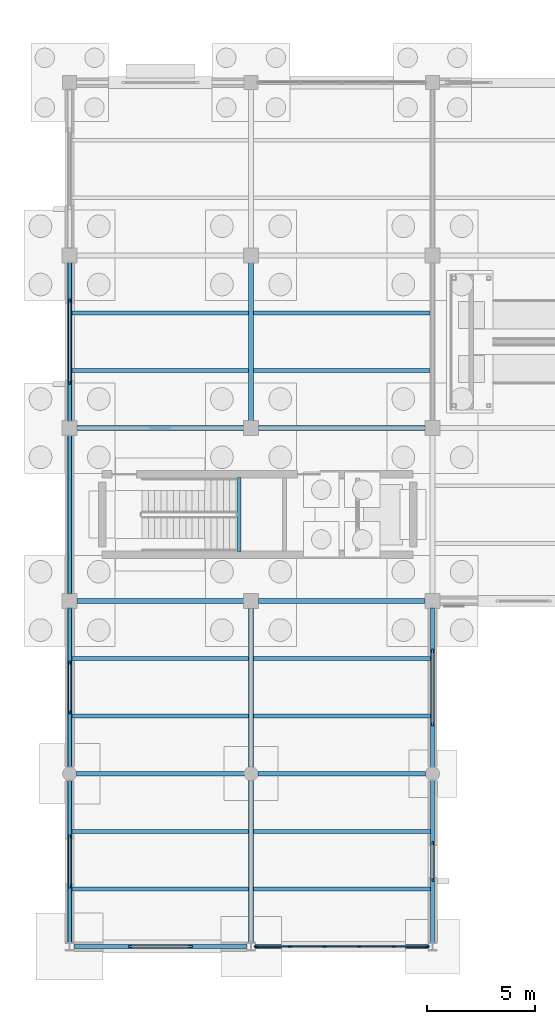
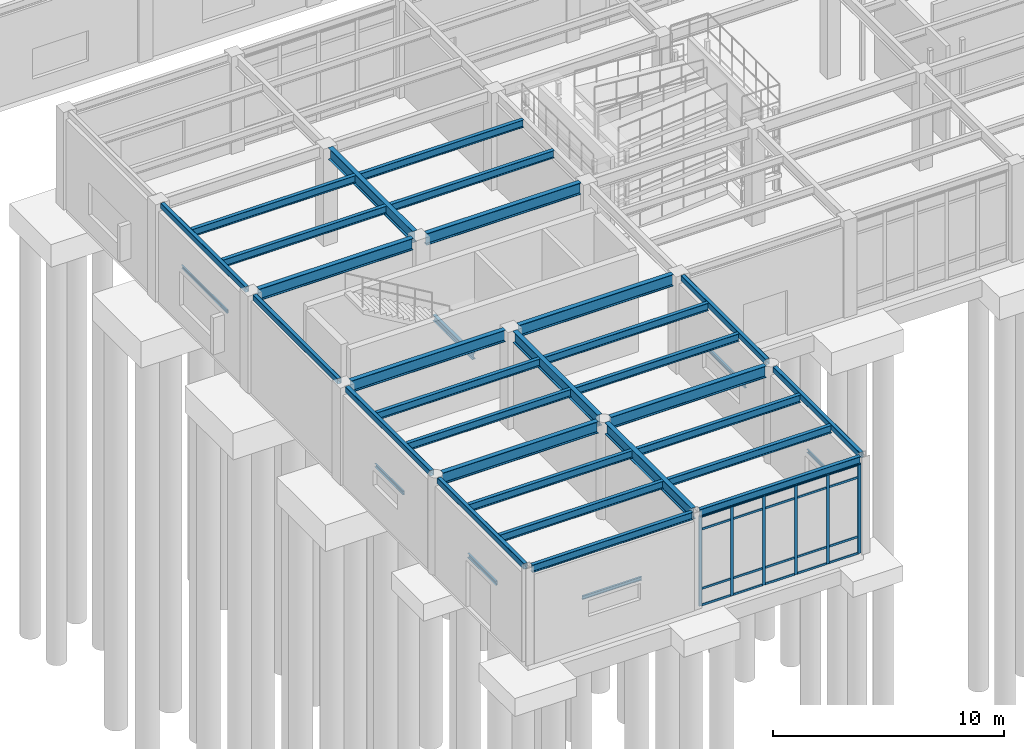
# One storey, part 22 of 138: 36 beams, 26 members, 1 element without a shape of its own.
"""IFC4 building model written with IfcOpenShell, lengths in metres."""

from ifc_helpers import new_model, si_unit, direction, frame, origin, origin_2d, place, context, subcontext, project, spatial, rectangle, hollow_rectangle, i_section, u_section, extrude, material, layer, layer_set, material_profile, profile_set, type_object, element, aggregate, save


model = new_model("IFC4")

# Units and contexts
model_context = context("Model", 3, precision=1e-05, world=origin(), true_north=direction((0.0, 1.0)))
body_context = subcontext(model_context, "Body", "Model", "MODEL_VIEW")
ifc_project = project(units=[si_unit("LENGTHUNIT", "METRE"), si_unit("AREAUNIT", "SQUARE_METRE"), si_unit("VOLUMEUNIT", "CUBIC_METRE"), si_unit("PLANEANGLEUNIT", "RADIAN"), si_unit("MASSUNIT", "GRAM", prefix="KILO")], contexts=[model_context])

# Site, building, storey
site_placement = place(None, origin())
site = spatial("IfcSite", under=ifc_project, at=site_placement, CompositionType="ELEMENT")
building_placement = place(site_placement, origin())
building = spatial("IfcBuilding", under=site, at=building_placement, Name="Kranzveld Transit Interchange", CompositionType="ELEMENT")
storey_placement = place(building_placement, origin())
storey = spatial("IfcBuildingStorey", under=building, at=storey_placement, Name="L00", CompositionType="ELEMENT", Elevation=0.0)

# Curtain wall, members
ifc_material_1 = material(Name="Bronze-anodised thermally broken aluminium", Category="aluminium")
ifc_layer = layer(ifc_material_1, 0.14990234375)
ifc_layer_set = layer_set([ifc_layer], Name="Bronze-anodised thermally broken aluminium")
curtain_wall_type = type_object("IfcCurtainWallType", Name="Public Passage Clerestory Screen CW-4", PredefinedType="USERDEFINED", material=ifc_layer_set)
curtain_wall_placement = place(storey_placement, origin())
curtain_wall = element("IfcCurtainWall", 1, at=curtain_wall_placement, inside=storey, type_object=curtain_wall_type, Name="L00 Curtain Wall 02/A-03/A", ObjectType="CURTAIN WALL", PredefinedType="USERDEFINED")
ifc_material_2 = material(Name="Bronze-anodised thermally broken aluminium", Category="aluminium")
ifc_material_profile_1 = material_profile(ifc_material_2, rectangle(XDim=0.06005859375, YDim=0.14990234375, at=origin_2d()), Name="ALU MULLION 60x150")
ifc_profile_set_1 = profile_set([ifc_material_profile_1], Name="Bronze-anodised thermally broken aluminium")
member_type_1 = type_object("IfcMemberType", Name="Curtain Wall Mullion 60x150 Alu", PredefinedType="MULLION", material=ifc_profile_set_1)
member_1_placement = place(storey_placement, frame((8.62939453125, 0.0, 0.0), z_axis=(0.0, 0.0, 1.0), x_axis=(0.0, 1.0, 0.0)))
member_1 = element("IfcMember", 2, at=member_1_placement, type_object=member_type_1, Name="CW-4 mullion 1", PredefinedType="MULLION", context=body_context, shape_type="SweptSolid", body=[
    extrude(rectangle(XDim=0.06005859375, YDim=0.14990234375, at=origin_2d()), origin(), (0.0, 0.0, 1.0), 4.740478515625),
])
member_2_placement = place(storey_placement, frame((10.19970703125, 0.0, 0.0), z_axis=(0.0, 0.0, 1.0), x_axis=(0.0, 1.0, 0.0)))
member_2 = element("IfcMember", 3, at=member_2_placement, type_object=member_type_1, Name="CW-4 mullion 2", PredefinedType="MULLION", context=body_context, shape_type="SweptSolid", body=[
    extrude(rectangle(XDim=0.06005859375, YDim=0.14990234375, at=origin_2d()), origin(), (0.0, 0.0, 1.0), 4.740478515625),
])
member_3_placement = place(storey_placement, frame((11.7998046875, 0.0, 0.0), z_axis=(0.0, 0.0, 1.0), x_axis=(0.0, 1.0, 0.0)))
member_3 = element("IfcMember", 4, at=member_3_placement, type_object=member_type_1, Name="CW-4 mullion 3", PredefinedType="MULLION", context=body_context, shape_type="SweptSolid", body=[
    extrude(rectangle(XDim=0.06005859375, YDim=0.14990234375, at=origin_2d()), origin(), (0.0, 0.0, 1.0), 4.740478515625),
])
member_4_placement = place(storey_placement, frame((13.400146484375, 0.0, 0.0), z_axis=(0.0, 0.0, 1.0), x_axis=(0.0, 1.0, 0.0)))
member_4 = element("IfcMember", 5, at=member_4_placement, type_object=member_type_1, Name="CW-4 mullion 4", PredefinedType="MULLION", context=body_context, shape_type="SweptSolid", body=[
    extrude(rectangle(XDim=0.06005859375, YDim=0.14990234375, at=origin_2d()), origin(), (0.0, 0.0, 1.0), 4.740478515625),
])
member_5_placement = place(storey_placement, frame((15.000244140625, 0.0, 0.0), z_axis=(0.0, 0.0, 1.0), x_axis=(0.0, 1.0, 0.0)))
member_5 = element("IfcMember", 6, at=member_5_placement, type_object=member_type_1, Name="CW-4 mullion 5", PredefinedType="MULLION", context=body_context, shape_type="SweptSolid", body=[
    extrude(rectangle(XDim=0.06005859375, YDim=0.14990234375, at=origin_2d()), origin(), (0.0, 0.0, 1.0), 4.740478515625),
])
member_6_placement = place(storey_placement, frame((16.570556640625, 0.0, 0.0), z_axis=(0.0, 0.0, 1.0), x_axis=(0.0, 1.0, 0.0)))
member_6 = element("IfcMember", 7, at=member_6_placement, type_object=member_type_1, Name="CW-4 mullion 6", PredefinedType="MULLION", context=body_context, shape_type="SweptSolid", body=[
    extrude(rectangle(XDim=0.06005859375, YDim=0.14990234375, at=origin_2d()), origin(), (0.0, 0.0, 1.0), 4.740478515625),
])
ifc_material_3 = material(Name="Bronze-anodised thermally broken aluminium", Category="aluminium")
ifc_material_profile_2 = material_profile(ifc_material_3, rectangle(XDim=0.06005859375, YDim=0.110107421875, at=origin_2d()), Name="ALU TRANSOM 60x110")
ifc_profile_set_2 = profile_set([ifc_material_profile_2], Name="Bronze-anodised thermally broken aluminium")
member_type_2 = type_object("IfcMemberType", Name="Curtain Wall Transom 60x110 Alu", PredefinedType="USERDEFINED", material=ifc_profile_set_2)
member_7_placement = place(storey_placement, frame((8.659423828125, 0.0, 0.030029296875), z_axis=(1.0, 0.0, 0.0), x_axis=(0.0, 1.0, 0.0)))
member_7 = element("IfcMember", 8, at=member_7_placement, type_object=member_type_2, Name="CW-4 transom 1.1", ObjectType="TRANSOM", PredefinedType="USERDEFINED", context=body_context, shape_type="SweptSolid", body=[
    extrude(rectangle(XDim=0.06005859375, YDim=0.110107421875, at=origin_2d()), origin(), (0.0, 0.0, 1.0), 1.51025390625),
])
member_8_placement = place(storey_placement, frame((8.659423828125, 0.0, 0.89990234375), z_axis=(1.0, 0.0, 0.0), x_axis=(0.0, 1.0, 0.0)))
member_8 = element("IfcMember", 9, at=member_8_placement, type_object=member_type_2, Name="CW-4 transom 1.2", ObjectType="TRANSOM", PredefinedType="USERDEFINED", context=body_context, shape_type="SweptSolid", body=[
    extrude(rectangle(XDim=0.06005859375, YDim=0.110107421875, at=origin_2d()), origin(), (0.0, 0.0, 1.0), 1.51025390625),
])
member_9_placement = place(storey_placement, frame((8.659423828125, 0.0, 4.04052734375), z_axis=(1.0, 0.0, 0.0), x_axis=(0.0, 1.0, 0.0)))
member_9 = element("IfcMember", 10, at=member_9_placement, type_object=member_type_2, Name="CW-4 transom 1.3", ObjectType="TRANSOM", PredefinedType="USERDEFINED", context=body_context, shape_type="SweptSolid", body=[
    extrude(rectangle(XDim=0.06005859375, YDim=0.110107421875, at=origin_2d()), origin(), (0.0, 0.0, 1.0), 1.51025390625),
])
member_10_placement = place(storey_placement, frame((8.659423828125, 0.0, 4.710693359375), z_axis=(1.0, 0.0, 0.0), x_axis=(0.0, 1.0, 0.0)))
member_10 = element("IfcMember", 11, at=member_10_placement, type_object=member_type_2, Name="CW-4 transom 1.4", ObjectType="TRANSOM", PredefinedType="USERDEFINED", context=body_context, shape_type="SweptSolid", body=[
    extrude(rectangle(XDim=0.06005859375, YDim=0.110107421875, at=origin_2d()), origin(), (0.0, 0.0, 1.0), 1.51025390625),
])
member_11_placement = place(storey_placement, frame((10.229736328125, 0.0, 0.030029296875), z_axis=(1.0, 0.0, 0.0), x_axis=(0.0, 1.0, 0.0)))
member_11 = element("IfcMember", 12, at=member_11_placement, type_object=member_type_2, Name="CW-4 transom 2.1", ObjectType="TRANSOM", PredefinedType="USERDEFINED", context=body_context, shape_type="SweptSolid", body=[
    extrude(rectangle(XDim=0.06005859375, YDim=0.110107421875, at=origin_2d()), origin(), (0.0, 0.0, 1.0), 1.540283203125),
])
member_12_placement = place(storey_placement, frame((10.229736328125, 0.0, 0.89990234375), z_axis=(1.0, 0.0, 0.0), x_axis=(0.0, 1.0, 0.0)))
member_12 = element("IfcMember", 13, at=member_12_placement, type_object=member_type_2, Name="CW-4 transom 2.2", ObjectType="TRANSOM", PredefinedType="USERDEFINED", context=body_context, shape_type="SweptSolid", body=[
    extrude(rectangle(XDim=0.06005859375, YDim=0.110107421875, at=origin_2d()), origin(), (0.0, 0.0, 1.0), 1.540283203125),
])
member_13_placement = place(storey_placement, frame((10.229736328125, 0.0, 4.04052734375), z_axis=(1.0, 0.0, 0.0), x_axis=(0.0, 1.0, 0.0)))
member_13 = element("IfcMember", 14, at=member_13_placement, type_object=member_type_2, Name="CW-4 transom 2.3", ObjectType="TRANSOM", PredefinedType="USERDEFINED", context=body_context, shape_type="SweptSolid", body=[
    extrude(rectangle(XDim=0.06005859375, YDim=0.110107421875, at=origin_2d()), origin(), (0.0, 0.0, 1.0), 1.540283203125),
])
member_14_placement = place(storey_placement, frame((10.229736328125, 0.0, 4.710693359375), z_axis=(1.0, 0.0, 0.0), x_axis=(0.0, 1.0, 0.0)))
member_14 = element("IfcMember", 15, at=member_14_placement, type_object=member_type_2, Name="CW-4 transom 2.4", ObjectType="TRANSOM", PredefinedType="USERDEFINED", context=body_context, shape_type="SweptSolid", body=[
    extrude(rectangle(XDim=0.06005859375, YDim=0.110107421875, at=origin_2d()), origin(), (0.0, 0.0, 1.0), 1.540283203125),
])
member_15_placement = place(storey_placement, frame((11.829833984375, 0.0, 0.030029296875), z_axis=(1.0, 0.0, 0.0), x_axis=(0.0, 1.0, 0.0)))
member_15 = element("IfcMember", 16, at=member_15_placement, type_object=member_type_2, Name="CW-4 transom 3.1", ObjectType="TRANSOM", PredefinedType="USERDEFINED", context=body_context, shape_type="SweptSolid", body=[
    extrude(rectangle(XDim=0.06005859375, YDim=0.110107421875, at=origin_2d()), origin(), (0.0, 0.0, 1.0), 1.540283203125),
])
member_16_placement = place(storey_placement, frame((11.829833984375, 0.0, 0.89990234375), z_axis=(1.0, 0.0, 0.0), x_axis=(0.0, 1.0, 0.0)))
member_16 = element("IfcMember", 17, at=member_16_placement, type_object=member_type_2, Name="CW-4 transom 3.2", ObjectType="TRANSOM", PredefinedType="USERDEFINED", context=body_context, shape_type="SweptSolid", body=[
    extrude(rectangle(XDim=0.06005859375, YDim=0.110107421875, at=origin_2d()), origin(), (0.0, 0.0, 1.0), 1.540283203125),
])
member_17_placement = place(storey_placement, frame((11.829833984375, 0.0, 4.04052734375), z_axis=(1.0, 0.0, 0.0), x_axis=(0.0, 1.0, 0.0)))
member_17 = element("IfcMember", 18, at=member_17_placement, type_object=member_type_2, Name="CW-4 transom 3.3", ObjectType="TRANSOM", PredefinedType="USERDEFINED", context=body_context, shape_type="SweptSolid", body=[
    extrude(rectangle(XDim=0.06005859375, YDim=0.110107421875, at=origin_2d()), origin(), (0.0, 0.0, 1.0), 1.540283203125),
])
member_18_placement = place(storey_placement, frame((11.829833984375, 0.0, 4.710693359375), z_axis=(1.0, 0.0, 0.0), x_axis=(0.0, 1.0, 0.0)))
member_18 = element("IfcMember", 19, at=member_18_placement, type_object=member_type_2, Name="CW-4 transom 3.4", ObjectType="TRANSOM", PredefinedType="USERDEFINED", context=body_context, shape_type="SweptSolid", body=[
    extrude(rectangle(XDim=0.06005859375, YDim=0.110107421875, at=origin_2d()), origin(), (0.0, 0.0, 1.0), 1.540283203125),
])
member_19_placement = place(storey_placement, frame((13.43017578125, 0.0, 0.030029296875), z_axis=(1.0, 0.0, 0.0), x_axis=(0.0, 1.0, 0.0)))
member_19 = element("IfcMember", 20, at=member_19_placement, type_object=member_type_2, Name="CW-4 transom 4.1", ObjectType="TRANSOM", PredefinedType="USERDEFINED", context=body_context, shape_type="SweptSolid", body=[
    extrude(rectangle(XDim=0.06005859375, YDim=0.110107421875, at=origin_2d()), origin(), (0.0, 0.0, 1.0), 1.5400390625),
])
member_20_placement = place(storey_placement, frame((13.43017578125, 0.0, 0.89990234375), z_axis=(1.0, 0.0, 0.0), x_axis=(0.0, 1.0, 0.0)))
member_20 = element("IfcMember", 21, at=member_20_placement, type_object=member_type_2, Name="CW-4 transom 4.2", ObjectType="TRANSOM", PredefinedType="USERDEFINED", context=body_context, shape_type="SweptSolid", body=[
    extrude(rectangle(XDim=0.06005859375, YDim=0.110107421875, at=origin_2d()), origin(), (0.0, 0.0, 1.0), 1.5400390625),
])
member_21_placement = place(storey_placement, frame((13.43017578125, 0.0, 4.04052734375), z_axis=(1.0, 0.0, 0.0), x_axis=(0.0, 1.0, 0.0)))
member_21 = element("IfcMember", 22, at=member_21_placement, type_object=member_type_2, Name="CW-4 transom 4.3", ObjectType="TRANSOM", PredefinedType="USERDEFINED", context=body_context, shape_type="SweptSolid", body=[
    extrude(rectangle(XDim=0.06005859375, YDim=0.110107421875, at=origin_2d()), origin(), (0.0, 0.0, 1.0), 1.5400390625),
])
member_22_placement = place(storey_placement, frame((13.43017578125, 0.0, 4.710693359375), z_axis=(1.0, 0.0, 0.0), x_axis=(0.0, 1.0, 0.0)))
member_22 = element("IfcMember", 23, at=member_22_placement, type_object=member_type_2, Name="CW-4 transom 4.4", ObjectType="TRANSOM", PredefinedType="USERDEFINED", context=body_context, shape_type="SweptSolid", body=[
    extrude(rectangle(XDim=0.06005859375, YDim=0.110107421875, at=origin_2d()), origin(), (0.0, 0.0, 1.0), 1.5400390625),
])
member_23_placement = place(storey_placement, frame((15.0302734375, 0.0, 0.030029296875), z_axis=(1.0, 0.0, 0.0), x_axis=(0.0, 1.0, 0.0)))
member_23 = element("IfcMember", 24, at=member_23_placement, type_object=member_type_2, Name="CW-4 transom 5.1", ObjectType="TRANSOM", PredefinedType="USERDEFINED", context=body_context, shape_type="SweptSolid", body=[
    extrude(rectangle(XDim=0.06005859375, YDim=0.110107421875, at=origin_2d()), origin(), (0.0, 0.0, 1.0), 1.51025390625),
])
member_24_placement = place(storey_placement, frame((15.0302734375, 0.0, 0.89990234375), z_axis=(1.0, 0.0, 0.0), x_axis=(0.0, 1.0, 0.0)))
member_24 = element("IfcMember", 25, at=member_24_placement, type_object=member_type_2, Name="CW-4 transom 5.2", ObjectType="TRANSOM", PredefinedType="USERDEFINED", context=body_context, shape_type="SweptSolid", body=[
    extrude(rectangle(XDim=0.06005859375, YDim=0.110107421875, at=origin_2d()), origin(), (0.0, 0.0, 1.0), 1.51025390625),
])
member_25_placement = place(storey_placement, frame((15.0302734375, 0.0, 4.04052734375), z_axis=(1.0, 0.0, 0.0), x_axis=(0.0, 1.0, 0.0)))
member_25 = element("IfcMember", 26, at=member_25_placement, type_object=member_type_2, Name="CW-4 transom 5.3", ObjectType="TRANSOM", PredefinedType="USERDEFINED", context=body_context, shape_type="SweptSolid", body=[
    extrude(rectangle(XDim=0.06005859375, YDim=0.110107421875, at=origin_2d()), origin(), (0.0, 0.0, 1.0), 1.51025390625),
])
member_26_placement = place(storey_placement, frame((15.0302734375, 0.0, 4.710693359375), z_axis=(1.0, 0.0, 0.0), x_axis=(0.0, 1.0, 0.0)))
member_26 = element("IfcMember", 27, at=member_26_placement, type_object=member_type_2, Name="CW-4 transom 5.4", ObjectType="TRANSOM", PredefinedType="USERDEFINED", context=body_context, shape_type="SweptSolid", body=[
    extrude(rectangle(XDim=0.06005859375, YDim=0.110107421875, at=origin_2d()), origin(), (0.0, 0.0, 1.0), 1.51025390625),
])
aggregate(curtain_wall, [member_1, member_2, member_3, member_4, member_5, member_6, member_7, member_8, member_9, member_10, member_11, member_12, member_13, member_14, member_15, member_16, member_17, member_18, member_19, member_20, member_21, member_22, member_23, member_24, member_25, member_26])

# Beams
ifc_material_4 = material(Name="Steel S355JR", Category="steel")
ifc_material_profile_3 = material_profile(ifc_material_4, hollow_rectangle(XDim=0.199951171875, YDim=0.300048828125, WallThickness=0.010009765625, InnerFilletRadius=0.014892578125, OuterFilletRadius=0.02490234375, at=origin_2d()), Name="RHS 300x200x10")
ifc_profile_set_3 = profile_set([ifc_material_profile_3], Name="Steel S355JR")
beam_type_1 = type_object("IfcBeamType", Name="Edge Spandrel RHS 300x200x10 S355JR", PredefinedType="SPANDREL", material=ifc_profile_set_3)
beam_1_placement = place(storey_placement, frame((0.0, 0.186767578125, 5.0), z_axis=(0.0, 1.0, 0.0), x_axis=(-1.0, 0.0, 0.0)))
element("IfcBeam", 28, at=beam_1_placement, inside=storey, type_object=beam_type_1, Name="L00 Girder 01/A-B", PredefinedType="SPANDREL", context=body_context, shape_type="SweptSolid", body=[
    extrude(hollow_rectangle(XDim=0.199951171875, YDim=0.300048828125, WallThickness=0.010009765625, InnerFilletRadius=0.014892578125, OuterFilletRadius=0.02490234375, at=origin_2d()), origin(), (0.0, 0.0, 1.0), 7.498291015625),
])
beam_2_placement = place(storey_placement, frame((0.0, 8.31494140625, 5.0), z_axis=(0.0, 1.0, 0.0), x_axis=(-1.0, 0.0, 0.0)))
element("IfcBeam", 29, at=beam_2_placement, inside=storey, type_object=beam_type_1, Name="L00 Girder 01/B-C", PredefinedType="SPANDREL", context=body_context, shape_type="SweptSolid", body=[
    extrude(hollow_rectangle(XDim=0.199951171875, YDim=0.300048828125, WallThickness=0.010009765625, InnerFilletRadius=0.014892578125, OuterFilletRadius=0.02490234375, at=origin_2d()), origin(), (0.0, 0.0, 1.0), 7.344970703125),
])
for number, where, z_axis, x_axis, name in (
    (30, (0.0, 16.340087890625, 5.0), (0.0, 1.0, 0.0), (-1.0, 0.0, 0.0), "L00 Girder 01/C-D"),
    (31, (0.0, 24.340087890625, 5.0), (0.0, 1.0, 0.0), (-1.0, 0.0, 0.0), "L00 Girder 01/D-E"),
):
    element("IfcBeam", number, at=place(storey_placement, frame(where, z_axis=z_axis, x_axis=x_axis)), inside=storey, type_object=beam_type_1, Name=name, PredefinedType="SPANDREL", context=body_context, shape_type="SweptSolid", body=[
        extrude(hollow_rectangle(XDim=0.199951171875, YDim=0.300048828125, WallThickness=0.010009765625, InnerFilletRadius=0.014892578125, OuterFilletRadius=0.02490234375, at=origin_2d()), origin(), (0.0, 0.0, 1.0), 7.31982421875),
    ])
beam_3_placement = place(storey_placement, frame((16.800048828125, 0.186767578125, 5.0), z_axis=(0.0, 1.0, 0.0), x_axis=(-1.0, 0.0, 0.0)))
element("IfcBeam", 32, at=beam_3_placement, inside=storey, type_object=beam_type_1, Name="L00 Girder 03/A-B", PredefinedType="SPANDREL", context=body_context, shape_type="SweptSolid", body=[
    extrude(hollow_rectangle(XDim=0.199951171875, YDim=0.300048828125, WallThickness=0.010009765625, InnerFilletRadius=0.014892578125, OuterFilletRadius=0.02490234375, at=origin_2d()), origin(), (0.0, 0.0, 1.0), 7.498291015625),
])
beam_4_placement = place(storey_placement, frame((16.800048828125, 8.31494140625, 5.0), z_axis=(0.0, 1.0, 0.0), x_axis=(-1.0, 0.0, 0.0)))
element("IfcBeam", 33, at=beam_4_placement, inside=storey, type_object=beam_type_1, Name="L00 Girder 03/B-C", PredefinedType="SPANDREL", context=body_context, shape_type="SweptSolid", body=[
    extrude(hollow_rectangle(XDim=0.199951171875, YDim=0.300048828125, WallThickness=0.010009765625, InnerFilletRadius=0.014892578125, OuterFilletRadius=0.02490234375, at=origin_2d()), origin(), (0.0, 0.0, 1.0), 7.344970703125),
])
ifc_material_5 = material(Name="Steel S355JR", Category="steel")
ifc_material_profile_4 = material_profile(ifc_material_5, i_section(OverallWidth=0.1787109375, OverallDepth=0.409423828125, WebThickness=0.0087890625, FlangeThickness=0.014404296875, FilletRadius=0.01025390625, at=origin_2d()), Name="UB 406x178x67")
ifc_profile_set_4 = profile_set([ifc_material_profile_4], Name="Steel S355JR")
beam_type_2 = type_object("IfcBeamType", Name="Facade Spandrel UB 406x178x67 S355JR", PredefinedType="SPANDREL", material=ifc_profile_set_4)
for number, where, z_axis, x_axis, name in (
    (34, (0.189453125, 0.0, 4.9453125), (1.0, 0.0, 0.0), (0.0, 1.0, 0.0), "L00 Girder 01-02/A"),
    (35, (8.589599609375, 0.0, 4.9453125), (1.0, 0.0, 0.0), (0.0, 1.0, 0.0), "L00 Girder 02-03/A"),
):
    element("IfcBeam", number, at=place(storey_placement, frame(where, z_axis=z_axis, x_axis=x_axis)), inside=storey, type_object=beam_type_2, Name=name, PredefinedType="SPANDREL", context=body_context, shape_type="SweptSolid", body=[
        extrude(i_section(OverallWidth=0.1787109375, OverallDepth=0.409423828125, WebThickness=0.0087890625, FlangeThickness=0.014404296875, FilletRadius=0.01025390625, at=origin_2d()), origin(), (0.0, 0.0, 1.0), 8.02099609375),
    ])
ifc_material_6 = material(Name="Steel S355JR", Category="steel")
ifc_material_profile_5 = material_profile(ifc_material_6, i_section(OverallWidth=0.177734375, OverallDepth=0.402587890625, WebThickness=0.0078125, FlangeThickness=0.010986328125, FilletRadius=0.01025390625, at=origin_2d()), Name="UB 406x178x54")
ifc_profile_set_5 = profile_set([ifc_material_profile_5], Name="Steel S355JR")
beam_type_3 = type_object("IfcBeamType", Name="Floor Joist UB 406x178x54 S355JR", PredefinedType="JOIST", material=ifc_profile_set_5)
for number, where, z_axis, x_axis, name in (
    (36, (0.10205078125, 2.666748046875, 4.94873046875), (1.0, 0.0, 0.0), (0.0, 1.0, 0.0), "L00 Secondary Joist 01-02/A.1"),
    (37, (0.10205078125, 5.333251953125, 4.94873046875), (1.0, 0.0, 0.0), (0.0, 1.0, 0.0), "L00 Secondary Joist 01-02/A.2"),
    (38, (0.10205078125, 10.666748046875, 4.94873046875), (1.0, 0.0, 0.0), (0.0, 1.0, 0.0), "L00 Secondary Joist 01-02/B.1"),
    (39, (0.10205078125, 13.333251953125, 4.94873046875), (1.0, 0.0, 0.0), (0.0, 1.0, 0.0), "L00 Secondary Joist 01-02/B.2"),
    (40, (0.10205078125, 26.666748046875, 4.94873046875), (1.0, 0.0, 0.0), (0.0, 1.0, 0.0), "L00 Secondary Joist 01-02/D.1"),
    (41, (0.10205078125, 29.333251953125, 4.94873046875), (1.0, 0.0, 0.0), (0.0, 1.0, 0.0), "L00 Secondary Joist 01-02/D.2"),
    (42, (8.51611328125, 2.666748046875, 4.94873046875), (1.0, 0.0, 0.0), (0.0, 1.0, 0.0), "L00 Secondary Joist 02-03/A.1"),
    (43, (8.51611328125, 5.333251953125, 4.94873046875), (1.0, 0.0, 0.0), (0.0, 1.0, 0.0), "L00 Secondary Joist 02-03/A.2"),
    (44, (8.51611328125, 10.666748046875, 4.94873046875), (1.0, 0.0, 0.0), (0.0, 1.0, 0.0), "L00 Secondary Joist 02-03/B.1"),
    (45, (8.51611328125, 13.333251953125, 4.94873046875), (1.0, 0.0, 0.0), (0.0, 1.0, 0.0), "L00 Secondary Joist 02-03/B.2"),
):
    element("IfcBeam", number, at=place(storey_placement, frame(where, z_axis=z_axis, x_axis=x_axis)), inside=storey, type_object=beam_type_3, Name=name, PredefinedType="JOIST", context=body_context, shape_type="SweptSolid", body=[
        extrude(i_section(OverallWidth=0.177734375, OverallDepth=0.402587890625, WebThickness=0.0078125, FlangeThickness=0.010986328125, FilletRadius=0.01025390625, at=origin_2d()), origin(), (0.0, 0.0, 1.0), 8.181884765625),
    ])
for number, where, z_axis, x_axis, name in (
    (46, (8.51611328125, 26.666748046875, 4.94873046875), (1.0, 0.0, 0.0), (0.0, 1.0, 0.0), "L00 Secondary Joist 02-03/D.1"),
    (47, (8.51611328125, 29.333251953125, 4.94873046875), (1.0, 0.0, 0.0), (0.0, 1.0, 0.0), "L00 Secondary Joist 02-03/D.2"),
):
    element("IfcBeam", number, at=place(storey_placement, frame(where, z_axis=z_axis, x_axis=x_axis)), inside=storey, type_object=beam_type_3, Name=name, PredefinedType="JOIST", context=body_context, shape_type="SweptSolid", body=[
        extrude(i_section(OverallWidth=0.177734375, OverallDepth=0.402587890625, WebThickness=0.0078125, FlangeThickness=0.010986328125, FilletRadius=0.01025390625, at=origin_2d()), origin(), (0.0, 0.0, 1.0), 8.167724609375),
    ])
ifc_material_7 = material(Name="Steel S355JR", Category="steel")
ifc_material_profile_6 = material_profile(ifc_material_7, i_section(OverallWidth=0.228271484375, OverallDepth=0.607666015625, WebThickness=0.010986328125, FlangeThickness=0.017333984375, FilletRadius=0.0126953125, at=origin_2d()), Name="UB 610x229x113")
ifc_profile_set_6 = profile_set([ifc_material_profile_6], Name="Steel S355JR")
beam_type_4 = type_object("IfcBeamType", Name="Girder Steel UB 610x229x113 S355JR", PredefinedType="BEAM", material=ifc_profile_set_6)
beam_5_placement = place(storey_placement, frame((8.39990234375, 0.186767578125, 4.84619140625), z_axis=(0.0, 1.0, 0.0), x_axis=(-1.0, 0.0, 0.0)))
element("IfcBeam", 48, at=beam_5_placement, inside=storey, type_object=beam_type_4, Name="L00 Girder 02/A-B", PredefinedType="BEAM", context=body_context, shape_type="SweptSolid", body=[
    extrude(i_section(OverallWidth=0.228271484375, OverallDepth=0.607666015625, WebThickness=0.010986328125, FlangeThickness=0.017333984375, FilletRadius=0.0126953125, at=origin_2d()), origin(), (0.0, 0.0, 1.0), 7.498291015625),
])
beam_6_placement = place(storey_placement, frame((8.39990234375, 8.31494140625, 4.84619140625), z_axis=(0.0, 1.0, 0.0), x_axis=(-1.0, 0.0, 0.0)))
element("IfcBeam", 49, at=beam_6_placement, inside=storey, type_object=beam_type_4, Name="L00 Girder 02/B-C", PredefinedType="BEAM", context=body_context, shape_type="SweptSolid", body=[
    extrude(i_section(OverallWidth=0.228271484375, OverallDepth=0.607666015625, WebThickness=0.010986328125, FlangeThickness=0.017333984375, FilletRadius=0.0126953125, at=origin_2d()), origin(), (0.0, 0.0, 1.0), 7.344970703125),
])
beam_7_placement = place(storey_placement, frame((8.39990234375, 24.340087890625, 4.84619140625), z_axis=(0.0, 1.0, 0.0), x_axis=(-1.0, 0.0, 0.0)))
element("IfcBeam", 50, at=beam_7_placement, inside=storey, type_object=beam_type_4, Name="L00 Girder 02/D-E", PredefinedType="BEAM", context=body_context, shape_type="SweptSolid", body=[
    extrude(i_section(OverallWidth=0.228271484375, OverallDepth=0.607666015625, WebThickness=0.010986328125, FlangeThickness=0.017333984375, FilletRadius=0.0126953125, at=origin_2d()), origin(), (0.0, 0.0, 1.0), 7.31982421875),
])
ifc_material_8 = material(Name="Steel S355JR", Category="steel")
ifc_material_profile_7 = material_profile(ifc_material_8, i_section(OverallWidth=0.230224609375, OverallDepth=0.6171875, WebThickness=0.01318359375, FlangeThickness=0.022216796875, FilletRadius=0.0126953125, at=origin_2d()), Name="UB 610x229x140")
ifc_profile_set_7 = profile_set([ifc_material_profile_7], Name="Steel S355JR")
beam_type_5 = type_object("IfcBeamType", Name="Girder Steel UB 610x229x140 S355JR", PredefinedType="BEAM", material=ifc_profile_set_7)
for number, where, z_axis, x_axis, name in (
    (51, (0.31494140625, 8.0, 4.84130859375), (1.0, 0.0, 0.0), (0.0, 1.0, 0.0), "L00 Girder 01-02/B"),
    (52, (8.715087890625, 8.0, 4.84130859375), (1.0, 0.0, 0.0), (0.0, 1.0, 0.0), "L00 Girder 02-03/B"),
):
    element("IfcBeam", number, at=place(storey_placement, frame(where, z_axis=z_axis, x_axis=x_axis)), inside=storey, type_object=beam_type_5, Name=name, PredefinedType="BEAM", context=body_context, shape_type="SweptSolid", body=[
        extrude(i_section(OverallWidth=0.230224609375, OverallDepth=0.6171875, WebThickness=0.01318359375, FlangeThickness=0.022216796875, FilletRadius=0.0126953125, at=origin_2d()), origin(), (0.0, 0.0, 1.0), 7.77001953125),
    ])
for number, where, z_axis, x_axis, name in (
    (53, (0.340087890625, 16.0, 4.84130859375), (1.0, 0.0, 0.0), (0.0, 1.0, 0.0), "L00 Girder 01-02/C"),
    (54, (8.739990234375, 16.0, 4.84130859375), (1.0, 0.0, 0.0), (0.0, 1.0, 0.0), "L00 Girder 02-03/C"),
    (55, (0.340087890625, 24.0, 4.84130859375), (1.0, 0.0, 0.0), (0.0, 1.0, 0.0), "L00 Girder 01-02/D"),
    (56, (8.739990234375, 24.0, 4.84130859375), (1.0, 0.0, 0.0), (0.0, 1.0, 0.0), "L00 Girder 02-03/D"),
):
    element("IfcBeam", number, at=place(storey_placement, frame(where, z_axis=z_axis, x_axis=x_axis)), inside=storey, type_object=beam_type_5, Name=name, PredefinedType="BEAM", context=body_context, shape_type="SweptSolid", body=[
        extrude(i_section(OverallWidth=0.230224609375, OverallDepth=0.6171875, WebThickness=0.01318359375, FlangeThickness=0.022216796875, FilletRadius=0.0126953125, at=origin_2d()), origin(), (0.0, 0.0, 1.0), 7.719970703125),
    ])
ifc_material_9 = material(Name="Steel S355JR", Category="steel")
ifc_material_profile_8 = material_profile(ifc_material_9, u_section(Depth=0.179931640625, FlangeWidth=0.070068359375, WebThickness=0.007080078125, FlangeThickness=0.010986328125, FilletRadius=0.010009765625, at=origin_2d()), Name="PFC 180x70x22")
ifc_profile_set_8 = profile_set([ifc_material_profile_8], Name="Steel S355JR")
beam_type_6 = type_object("IfcBeamType", Name="Masonry Lintel PFC 180x70x22 S355JR", PredefinedType="LINTEL", material=ifc_profile_set_8)
beam_8_placement = place(storey_placement, frame((0.0, 26.02001953125, 2.794921875), z_axis=(0.0, 1.0, 0.0), x_axis=(-1.0, 0.0, 0.0)))
element("IfcBeam", 57, at=beam_8_placement, inside=storey, type_object=beam_type_6, Name="L00 Window Lintel 001", PredefinedType="LINTEL", context=body_context, shape_type="SweptSolid", body=[
    extrude(u_section(Depth=0.179931640625, FlangeWidth=0.070068359375, WebThickness=0.007080078125, FlangeThickness=0.010986328125, FilletRadius=0.010009765625, at=origin_2d()), origin(), (0.0, 0.0, 1.0), 3.9599609375),
])
beam_9_placement = place(storey_placement, frame((16.800048828125, 3.005859375, 2.39501953125), z_axis=(0.0, 1.0, 0.0), x_axis=(-1.0, 0.0, 0.0)))
element("IfcBeam", 58, at=beam_9_placement, inside=storey, type_object=beam_type_6, Name="L00 Window Lintel 053", PredefinedType="LINTEL", context=body_context, shape_type="SweptSolid", body=[
    extrude(u_section(Depth=0.179931640625, FlangeWidth=0.070068359375, WebThickness=0.007080078125, FlangeThickness=0.010986328125, FilletRadius=0.010009765625, at=origin_2d()), origin(), (0.0, 0.0, 1.0), 1.860107421875),
])
ifc_material_10 = material(Name="Steel S355JR", Category="steel")
ifc_material_profile_9 = material_profile(ifc_material_10, u_section(Depth=0.199951171875, FlangeWidth=0.074951171875, WebThickness=0.006103515625, FlangeThickness=0.012451171875, FilletRadius=0.011962890625, at=origin_2d()), Name="PFC 200x75x23")
ifc_profile_set_9 = profile_set([ifc_material_profile_9], Name="Steel S355JR")
beam_type_7 = type_object("IfcBeamType", Name="Masonry Lintel PFC 200x75x23 S355JR", PredefinedType="LINTEL", material=ifc_profile_set_9)
beam_10_placement = place(storey_placement, frame((0.0, 10.757568359375, 2.455078125), z_axis=(0.0, 1.0, 0.0), x_axis=(-1.0, 0.0, 0.0)))
element("IfcBeam", 59, at=beam_10_placement, inside=storey, type_object=beam_type_7, Name="L00 Window Lintel 056", PredefinedType="LINTEL", context=body_context, shape_type="SweptSolid", body=[
    extrude(u_section(Depth=0.199951171875, FlangeWidth=0.074951171875, WebThickness=0.006103515625, FlangeThickness=0.012451171875, FilletRadius=0.011962890625, at=origin_2d()), origin(), (0.0, 0.0, 1.0), 2.4599609375),
])
ifc_material_11 = material(Name="Steel S355JR", Category="steel")
ifc_material_profile_10 = material_profile(ifc_material_11, u_section(Depth=0.22998046875, FlangeWidth=0.090087890625, WebThickness=0.007568359375, FlangeThickness=0.013916015625, FilletRadius=0.011962890625, at=origin_2d()), Name="PFC 230x90x32")
ifc_profile_set_10 = profile_set([ifc_material_profile_10], Name="Steel S355JR")
beam_type_8 = type_object("IfcBeamType", Name="Masonry Lintel PFC 230x90x32 S355JR", PredefinedType="LINTEL", material=ifc_profile_set_10)
beam_11_placement = place(storey_placement, frame((0.0, 2.705810546875, 2.570068359375), z_axis=(0.0, 1.0, 0.0), x_axis=(-1.0, 0.0, 0.0)))
element("IfcBeam", 60, at=beam_11_placement, inside=storey, type_object=beam_type_8, Name="L00 Entrance Door Lintel 014", PredefinedType="LINTEL", context=body_context, shape_type="SweptSolid", body=[
    extrude(u_section(Depth=0.22998046875, FlangeWidth=0.090087890625, WebThickness=0.007568359375, FlangeThickness=0.013916015625, FilletRadius=0.011962890625, at=origin_2d()), origin(), (0.0, 0.0, 1.0), 2.460205078125),
])
ifc_material_12 = material(Name="Steel S355JR", Category="steel")
ifc_material_profile_11 = material_profile(ifc_material_12, i_section(OverallWidth=0.091064453125, OverallDepth=0.179931640625, WebThickness=0.00537109375, FlangeThickness=0.008056640625, FilletRadius=0.009033203125, at=origin_2d()), Name="IPE 180")
ifc_profile_set_11 = profile_set([ifc_material_profile_11], Name="Steel S355JR")
beam_type_9 = type_object("IfcBeamType", Name="Opening Lintel IPE 180 S355JR", PredefinedType="LINTEL", material=ifc_profile_set_11)
beam_12_placement = place(storey_placement, frame((2.719970703125, 0.0, 2.4951171875), z_axis=(1.0, 0.0, 0.0), x_axis=(0.0, 1.0, 0.0)))
element("IfcBeam", 61, at=beam_12_placement, inside=storey, type_object=beam_type_9, Name="L00 Window Lintel 055", PredefinedType="LINTEL", context=body_context, shape_type="SweptSolid", body=[
    extrude(i_section(OverallWidth=0.091064453125, OverallDepth=0.179931640625, WebThickness=0.00537109375, FlangeThickness=0.008056640625, FilletRadius=0.009033203125, at=origin_2d()), origin(), (0.0, 0.0, 1.0), 2.9599609375),
])
ifc_material_13 = material(Name="Steel S355JR", Category="steel")
ifc_material_profile_12 = material_profile(ifc_material_13, i_section(OverallWidth=0.10009765625, OverallDepth=0.199951171875, WebThickness=0.005615234375, FlangeThickness=0.008544921875, FilletRadius=0.011962890625, at=origin_2d()), Name="IPE 200")
ifc_profile_set_12 = profile_set([ifc_material_profile_12], Name="Steel S355JR")
beam_type_10 = type_object("IfcBeamType", Name="Opening Lintel IPE 200 S355JR", PredefinedType="LINTEL", material=ifc_profile_set_12)
beam_13_placement = place(storey_placement, frame((16.800048828125, 10.20751953125, 2.554931640625), z_axis=(0.0, 1.0, 0.0), x_axis=(-1.0, 0.0, 0.0)))
element("IfcBeam", 62, at=beam_13_placement, inside=storey, type_object=beam_type_10, Name="L00 Window Lintel 054", PredefinedType="LINTEL", context=body_context, shape_type="SweptSolid", body=[
    extrude(i_section(OverallWidth=0.10009765625, OverallDepth=0.199951171875, WebThickness=0.005615234375, FlangeThickness=0.008544921875, FilletRadius=0.011962890625, at=origin_2d()), origin(), (0.0, 0.0, 1.0), 3.56005859375),
])
ifc_material_14 = material(Name="Steel S355JR", Category="steel")
ifc_material_profile_13 = material_profile(ifc_material_14, i_section(OverallWidth=0.165771484375, OverallDepth=0.306640625, WebThickness=0.006591796875, FlangeThickness=0.01171875, FilletRadius=0.0087890625, at=origin_2d()), Name="UB 305x165x46")
ifc_profile_set_13 = profile_set([ifc_material_profile_13], Name="Steel S355JR")
beam_type_11 = type_object("IfcBeamType", Name="Roof Joist UB 305x165x46 S355JR", PredefinedType="JOIST", material=ifc_profile_set_13)
beam_14_placement = place(storey_placement, frame((7.860107421875, 18.280029296875, 2.36669921875), z_axis=(0.0, 1.0, 0.0), x_axis=(-1.0, 0.0, 0.0)))
element("IfcBeam", 63, at=beam_14_placement, inside=storey, type_object=beam_type_11, Name="L00 ST-CY1 Half-Landing Support Beam", PredefinedType="BEAM", context=body_context, shape_type="SweptSolid", body=[
    extrude(i_section(OverallWidth=0.165771484375, OverallDepth=0.306640625, WebThickness=0.006591796875, FlangeThickness=0.01171875, FilletRadius=0.0087890625, at=origin_2d()), origin(), (0.0, 0.0, 1.0), 3.43994140625),
])

save(model, "model.ifc")
